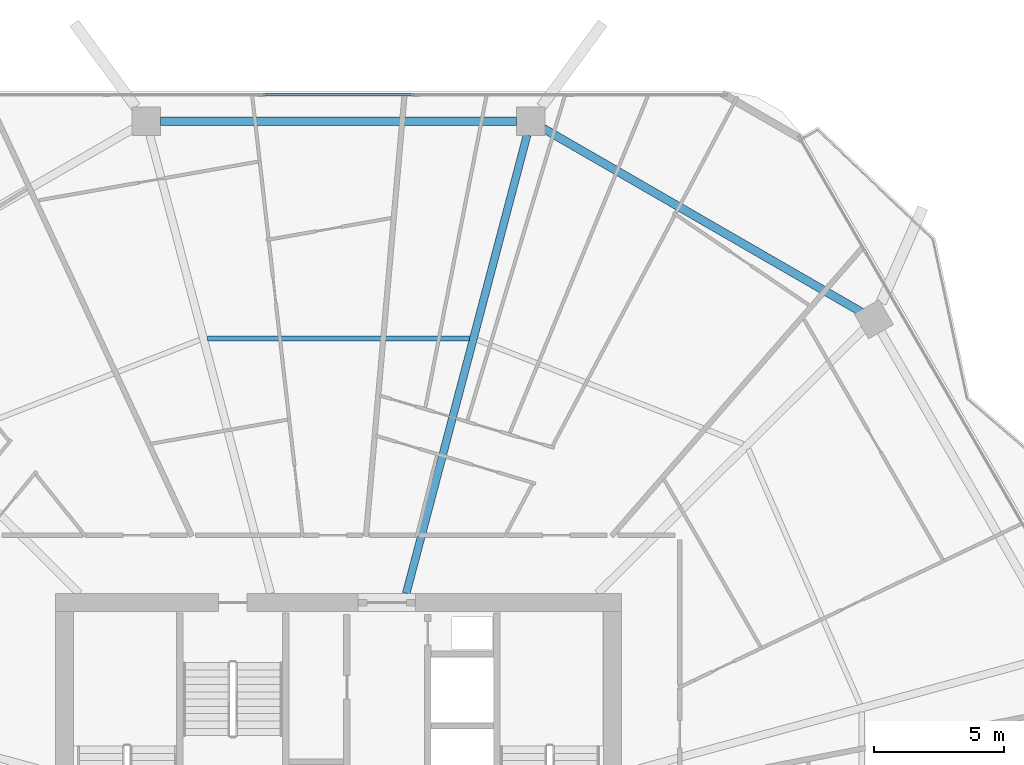
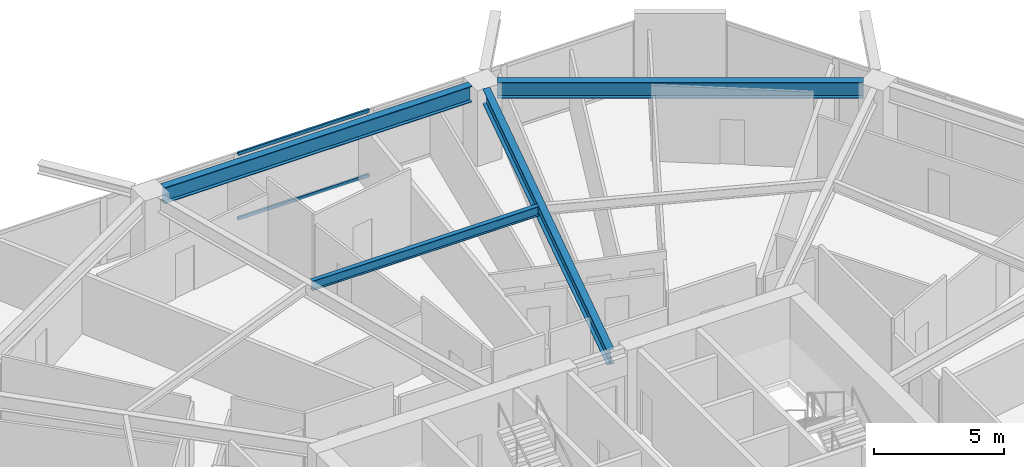
# One storey, part 17 of 29: 4 beams, 2 members, 1 element without a shape of its own.
"""IFC4 building model written with IfcOpenShell, lengths in metres."""

from ifc_helpers import new_model, si_unit, direction, frame, origin, origin_2d, place, context, subcontext, project, spatial, hollow_rectangle, i_section, extrude, material, material_profile, profile_set, type_object, element, aggregate, save


model = new_model("IFC4")

# Units and contexts
model_context = context("Model", 3, precision=1e-05, world=origin(), true_north=direction((0.0, 1.0)))
body_context = subcontext(model_context, "Body", "Model", "MODEL_VIEW")
ifc_project = project(units=[si_unit("LENGTHUNIT", "METRE"), si_unit("AREAUNIT", "SQUARE_METRE"), si_unit("VOLUMEUNIT", "CUBIC_METRE"), si_unit("PLANEANGLEUNIT", "RADIAN"), si_unit("MASSUNIT", "GRAM", prefix="KILO")], contexts=[model_context])

# Site, building, storey
site_placement = place(None, origin())
site = spatial("IfcSite", under=ifc_project, at=site_placement, CompositionType="ELEMENT")
building_placement = place(site_placement, origin())
building = spatial("IfcBuilding", under=site, at=building_placement, Name="Zuhravey Tower", CompositionType="ELEMENT")
storey_placement = place(building_placement, frame((0.0, 0.0, 134.199951171875)))
storey = spatial("IfcBuildingStorey", under=building, at=storey_placement, Name="L33", CompositionType="ELEMENT", Elevation=134.199951171875)

# Curtain wall, members
ifc_material_1 = material(Name="Thermally broken anodised aluminium", Category="aluminium")
curtain_wall_type = type_object("IfcCurtainWallType", Name="Zone 1-2 Residential Curtain Wall CW3", PredefinedType="NOTDEFINED", material=ifc_material_1)
curtain_wall_placement = place(storey_placement, origin())
curtain_wall = element("IfcCurtainWall", 1, at=curtain_wall_placement, inside=storey, type_object=curtain_wall_type, Name="L33 CW3 CW-L33-F2-1", PredefinedType="NOTDEFINED")
ifc_material_2 = material(Name="Anodised aluminium", Category="aluminium")
ifc_material_profile_1 = material_profile(ifc_material_2, hollow_rectangle(XDim=0.090087890625, YDim=0.14990234375, WallThickness=0.0048828125, at=origin_2d()), Name="ALU-RHS-90x150x5")
ifc_profile_set_1 = profile_set([ifc_material_profile_1], Name="Anodised aluminium")
member_type = type_object("IfcMemberType", Name="Curtain-Wall Transom 90x150", PredefinedType="USERDEFINED", material=ifc_profile_set_1)
member_1_placement = place(storey_placement, frame((33.085205078125, 60.95849609375, 0.045166015625), z_axis=(1.0, 0.0, 0.0), x_axis=(0.0, 1.0, 0.0)))
member_1 = element("IfcMember", 2, at=member_1_placement, type_object=member_type, Name="CW3 transom 3.1", ObjectType="TRANSOM", PredefinedType="USERDEFINED", context=body_context, shape_type="SweptSolid", body=[
    extrude(hollow_rectangle(XDim=0.090087890625, YDim=0.14990234375, WallThickness=0.0048828125, at=origin_2d()), origin(), (0.0, 0.0, 1.0), 5.82958984375),
])
member_2_placement = place(storey_placement, frame((33.085205078125, 60.95849609375, 3.0771484375), z_axis=(1.0, 0.0, 0.0), x_axis=(0.0, 1.0, 0.0)))
member_2 = element("IfcMember", 3, at=member_2_placement, type_object=member_type, Name="CW3 transom 3.2", ObjectType="TRANSOM", PredefinedType="USERDEFINED", context=body_context, shape_type="SweptSolid", body=[
    extrude(hollow_rectangle(XDim=0.090087890625, YDim=0.14990234375, WallThickness=0.0048828125, at=origin_2d()), origin(), (0.0, 0.0, 1.0), 5.82958984375),
])
aggregate(curtain_wall, [member_1, member_2])

# Beams
ifc_material_3 = material(Name="Steel SM355", Category="steel")
ifc_material_profile_2 = material_profile(ifc_material_3, i_section(OverallWidth=0.320068359375, OverallDepth=0.75, WebThickness=0.013916015625, FlangeThickness=0.02490234375, at=origin_2d()), Name="H-750x320x14x25")
ifc_profile_set_2 = profile_set([ifc_material_profile_2], Name="Steel SM355")
beam_type_1 = type_object("IfcBeamType", Name="Perimeter Ring Beam H750x320", PredefinedType="BEAM", material=ifc_profile_set_2)
beam_1_placement = place(storey_placement, frame((56.0400390625, 52.63330078125, 3.175048828125), z_axis=(-0.866017786538, 0.500013193225, 0.0), x_axis=(-0.500013193225, -0.866017786538, 0.0)))
element("IfcBeam", 4, at=beam_1_placement, inside=storey, type_object=beam_type_1, Name="L33 PB1 BM-L33-PB-02", PredefinedType="BEAM", context=body_context, shape_type="SweptSolid", body=[
    extrude(i_section(OverallWidth=0.320068359375, OverallDepth=0.75, WebThickness=0.013916015625, FlangeThickness=0.02490234375, at=origin_2d()), origin(), (0.0, 0.0, 1.0), 14.0771484375),
])
beam_2_placement = place(storey_placement, frame((42.81689453125, 59.948486328125, 3.175048828125), z_axis=(-1.0, 0.0, 0.0), x_axis=(0.0, -1.0, 0.0)))
element("IfcBeam", 5, at=beam_2_placement, inside=storey, type_object=beam_type_1, Name="L33 PB1 BM-L33-PB-03", PredefinedType="BEAM", context=body_context, shape_type="SweptSolid", body=[
    extrude(i_section(OverallWidth=0.320068359375, OverallDepth=0.75, WebThickness=0.013916015625, FlangeThickness=0.02490234375, at=origin_2d()), origin(), (0.0, 0.0, 1.0), 13.6337890625),
])
ifc_material_profile_3 = material_profile(ifc_material_3, i_section(OverallWidth=0.300048828125, OverallDepth=0.699951171875, WebThickness=0.012939453125, FlangeThickness=0.02392578125, at=origin_2d()), Name="H-700x300x13x24")
ifc_profile_set_3 = profile_set([ifc_material_profile_3], Name="Steel SM355")
beam_type_2 = type_object("IfcBeamType", Name="Radial Primary Girder H700x300", PredefinedType="BEAM", material=ifc_profile_set_3)
beam_3_placement = place(storey_placement, frame((38.59814453125, 41.85302734375, 3.199951171875), z_axis=(0.25498755891, 0.966944333869, 0.0), x_axis=(-0.966944333869, 0.25498755891, 0.0)))
element("IfcBeam", 6, at=beam_3_placement, inside=storey, type_object=beam_type_2, Name="L33 RG1 BM-L33-RAD-03", PredefinedType="BEAM", context=body_context, shape_type="SweptSolid", body=[
    extrude(i_section(OverallWidth=0.300048828125, OverallDepth=0.699951171875, WebThickness=0.012939453125, FlangeThickness=0.02392578125, at=origin_2d()), origin(), (0.0, 0.0, 1.0), 18.1611328125),
])
ifc_material_profile_4 = material_profile(ifc_material_3, i_section(OverallWidth=0.199951171875, OverallDepth=0.449951171875, WebThickness=0.009033203125, FlangeThickness=0.013916015625, at=origin_2d()), Name="H-450x200x9x14")
ifc_profile_set_4 = profile_set([ifc_material_profile_4], Name="Steel SM355")
beam_type_3 = type_object("IfcBeamType", Name="Secondary Floor Joist H450x200", PredefinedType="JOIST", material=ifc_profile_set_4)
beam_4_placement = place(storey_placement, frame((41.02099609375, 51.62451171875, 3.324951171875), z_axis=(-1.0, 0.0, 0.0), x_axis=(0.0, -1.0, 0.0)))
element("IfcBeam", 7, at=beam_4_placement, inside=storey, type_object=beam_type_3, Name="L33 SJ1 BM-L33-SJ-03-1", PredefinedType="JOIST", context=body_context, shape_type="SweptSolid", body=[
    extrude(i_section(OverallWidth=0.199951171875, OverallDepth=0.449951171875, WebThickness=0.009033203125, FlangeThickness=0.013916015625, at=origin_2d()), origin(), (0.0, 0.0, 1.0), 10.0419921875),
])

save(model, "model.ifc")
